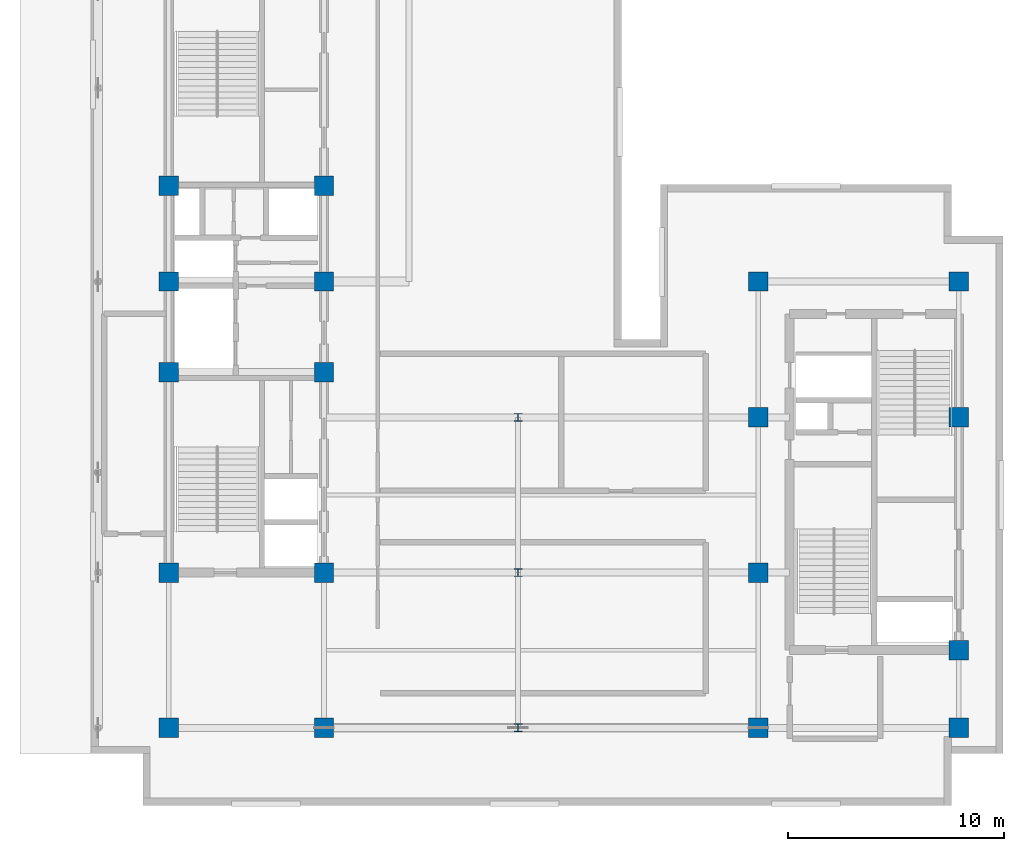
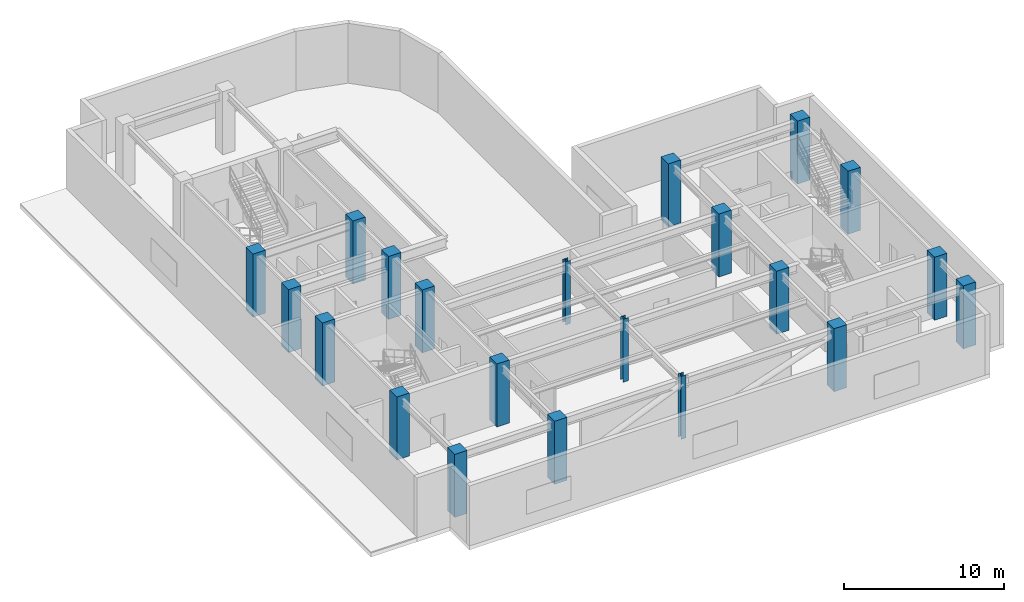
# One storey, part 1 of 13: 21 columns.
"""IFC4 building model written with IfcOpenShell, lengths in metres."""

from ifc_helpers import new_model, entity, si_unit, converted_unit, direction, frame, origin_with_axes, origin_2d_with_axis, place, context, subcontext, project, spatial, rectangle, i_section, extrude, material, material_profile, profile_set, type_object, element, save


model = new_model("IFC4")

# Units and contexts
model_context = context("Model", 3, precision=1e-05, world=origin_with_axes(), true_north=direction((0.0, 1.0)))
body_context = subcontext(model_context, "Body", "Model", "MODEL_VIEW")
ifc_project = project(units=[si_unit("LENGTHUNIT", "METRE"), si_unit("AREAUNIT", "SQUARE_METRE"), si_unit("VOLUMEUNIT", "CUBIC_METRE"), converted_unit("PLANEANGLEUNIT", "DEGREE", entity("IfcPlaneAngleMeasure", 0.017453292519943295), si_unit("PLANEANGLEUNIT", "RADIAN"), dimensions=[0, 0, 0, 0, 0, 0, 0]), si_unit("MASSUNIT", "GRAM", prefix="KILO"), si_unit("THERMODYNAMICTEMPERATUREUNIT", "KELVIN")], contexts=[model_context])

# Site, building, storey
site_placement = place(None, origin_with_axes())
site = spatial("IfcSite", under=ifc_project, at=site_placement, CompositionType="ELEMENT")
building_placement = place(site_placement, origin_with_axes())
building = spatial("IfcBuilding", under=site, at=building_placement, Name="Varnlund Millrace Tower", CompositionType="ELEMENT")
storey_placement = place(building_placement, frame((0.0, 0.0, 248.1), z_axis=(0.0, 0.0, 1.0), x_axis=(1.0, 0.0, 0.0)))
storey = spatial("IfcBuildingStorey", under=building, at=storey_placement, Name="L61", CompositionType="ELEMENT", Elevation=248.1)

# Columns
ifc_material_1 = material(Name="Steel ASTM A992 Grade 50", Category="steel")
ifc_material_profile_1 = material_profile(ifc_material_1, i_section(OverallWidth=0.369, OverallDepth=0.356, WebThickness=0.0112, FlangeThickness=0.018, FilletRadius=0.018, at=origin_2d_with_axis()), Name="Steel ASTM A992 Grade 50")
ifc_profile_set_1 = profile_set([ifc_material_profile_1], Name="Steel ASTM A992 Grade 50")
column_type_1 = type_object("IfcColumnType", Name="Type-Col-Int-W14X90", PredefinedType="COLUMN", material=ifc_profile_set_1)
for number, where, z_axis, x_axis, name in (
    (1, (27.6, 3.6, 0.0), (0.0, 0.0, 1.0), (1.0, 0.0, 0.0), "Type-Col-Int-W14X90"),
    (2, (27.6, 10.8, 0.0), (0.0, 0.0, 1.0), (1.0, 0.0, 0.0), "Type-Col-Int-W14X90"),
    (3, (27.6, 18.0, 0.0), (0.0, 0.0, 1.0), (1.0, 0.0, 0.0), "Type-Col-Int-W14X90"),
):
    element("IfcColumn", number, at=place(storey_placement, frame(where, z_axis=z_axis, x_axis=x_axis)), inside=storey, type_object=column_type_1, Name=name, PredefinedType="COLUMN", context=body_context, shape_type="SweptSolid", body=[
        extrude(i_section(OverallWidth=0.369, OverallDepth=0.356, WebThickness=0.0112, FlangeThickness=0.018, FilletRadius=0.018, at=origin_2d_with_axis()), origin_with_axes(), (0.0, 0.0, 1.0), 4.8),
    ])
ifc_material_2 = material(Name="Concrete C70/85", Category="concrete")
ifc_material_profile_2 = material_profile(ifc_material_2, rectangle(XDim=0.9, YDim=0.9, at=origin_2d_with_axis()), Name="Concrete C70/85")
ifc_profile_set_2 = profile_set([ifc_material_profile_2], Name="Concrete C70/85")
column_type_2 = type_object("IfcColumnType", Name="Type-Col-RC900-C70", PredefinedType="COLUMN", material=ifc_profile_set_2)
for number, where, z_axis, x_axis, name in (
    (4, (11.4, 3.6, 0.0), (0.0, 0.0, 1.0), (1.0, 0.0, 0.0), "Type-Col-RC900-C70"),
    (5, (11.4, 10.8, 0.0), (0.0, 0.0, 1.0), (1.0, 0.0, 0.0), "Type-Col-RC900-C70"),
    (6, (11.4, 20.1, 0.0), (0.0, 0.0, 1.0), (1.0, 0.0, 0.0), "Type-Col-RC900-C70"),
    (7, (11.4, 24.3, 0.0), (0.0, 0.0, 1.0), (1.0, 0.0, 0.0), "Type-Col-RC900-C70"),
    (8, (11.4, 28.75, 0.0), (0.0, 0.0, 1.0), (1.0, 0.0, 0.0), "Type-Col-RC900-C70"),
    (9, (18.6, 3.6, 0.0), (0.0, 0.0, 1.0), (1.0, 0.0, 0.0), "Type-Col-RC900-C70"),
    (10, (18.6, 10.8, 0.0), (0.0, 0.0, 1.0), (1.0, 0.0, 0.0), "Type-Col-RC900-C70"),
    (11, (18.6, 20.1, 0.0), (0.0, 0.0, 1.0), (1.0, 0.0, 0.0), "Type-Col-RC900-C70"),
    (12, (18.6, 24.3, 0.0), (0.0, 0.0, 1.0), (1.0, 0.0, 0.0), "Type-Col-RC900-C70"),
    (13, (18.6, 28.75, 0.0), (0.0, 0.0, 1.0), (1.0, 0.0, 0.0), "Type-Col-RC900-C70"),
    (14, (38.75, 3.6, 0.0), (0.0, 0.0, 1.0), (1.0, 0.0, 0.0), "Type-Col-RC900-C70"),
    (15, (38.75, 10.8, 0.0), (0.0, 0.0, 1.0), (1.0, 0.0, 0.0), "Type-Col-RC900-C70"),
    (16, (38.75, 18.0, 0.0), (0.0, 0.0, 1.0), (1.0, 0.0, 0.0), "Type-Col-RC900-C70"),
    (17, (38.75, 24.3, 0.0), (0.0, 0.0, 1.0), (1.0, 0.0, 0.0), "Type-Col-RC900-C70"),
    (18, (48.05, 3.6, 0.0), (0.0, 0.0, 1.0), (1.0, 0.0, 0.0), "Type-Col-RC900-C70"),
    (19, (48.05, 7.2, 0.0), (0.0, 0.0, 1.0), (1.0, 0.0, 0.0), "Type-Col-RC900-C70"),
    (20, (48.05, 18.0, 0.0), (0.0, 0.0, 1.0), (1.0, 0.0, 0.0), "Type-Col-RC900-C70"),
    (21, (48.05, 24.3, 0.0), (0.0, 0.0, 1.0), (1.0, 0.0, 0.0), "Type-Col-RC900-C70"),
):
    element("IfcColumn", number, at=place(storey_placement, frame(where, z_axis=z_axis, x_axis=x_axis)), inside=storey, type_object=column_type_2, Name=name, PredefinedType="COLUMN", context=body_context, shape_type="SweptSolid", body=[
        extrude(rectangle(XDim=0.9, YDim=0.9, at=origin_2d_with_axis()), origin_with_axes(), (0.0, 0.0, 1.0), 4.8),
    ])

save(model, "model.ifc")
